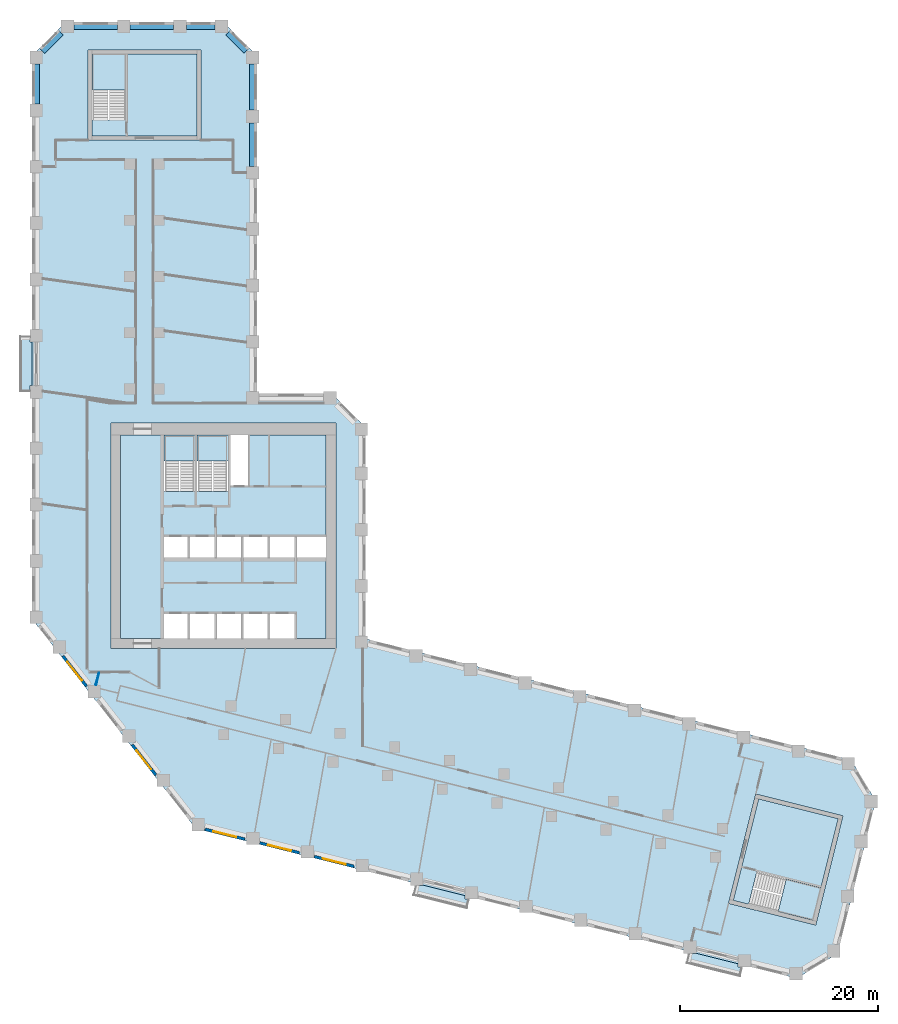
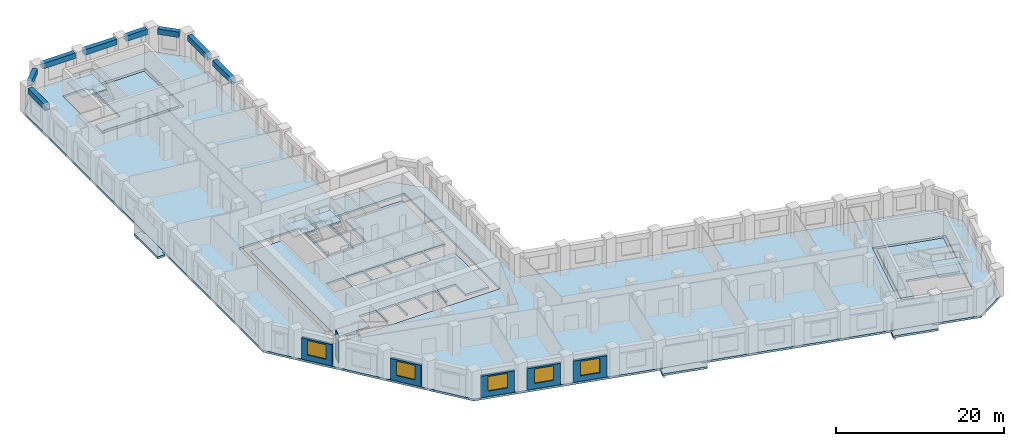
# One storey, part 2 of 10: 11 slabs, 8 beams, 6 walls, 5 windows, 5 openings, 4 elements without a shape of their own.
"""IFC4 building model written with IfcOpenShell, lengths in metres."""

from ifc_helpers import new_model, si_unit, direction, frame, frame_2d, origin, origin_2d, place, context, subcontext, project, spatial, polyline, rectangle, outline, extrude, material, layer, layer_set, material_profile, profile_set, type_object, element, fill, aggregate, save


model = new_model("IFC4")

# Units and contexts
model_context = context("Model", 3, precision=1e-05, world=origin(), true_north=direction((0.0, 1.0)))
body_context = subcontext(model_context, "Body", "Model", "MODEL_VIEW")
ifc_project = project(units=[si_unit("LENGTHUNIT", "METRE"), si_unit("AREAUNIT", "SQUARE_METRE"), si_unit("VOLUMEUNIT", "CUBIC_METRE"), si_unit("PLANEANGLEUNIT", "RADIAN"), si_unit("MASSUNIT", "GRAM", prefix="KILO")], contexts=[model_context])

# Site, building, storey
site_placement = place(None, origin())
site = spatial("IfcSite", under=ifc_project, at=site_placement, CompositionType="ELEMENT")
building_placement = place(site_placement, origin())
building = spatial("IfcBuilding", under=site, at=building_placement, Name="Meshkara Civic Tower", CompositionType="ELEMENT")
storey_placement = place(building_placement, frame((0.0, 0.0, 109.800048828125)))
storey = spatial("IfcBuildingStorey", under=building, at=storey_placement, Name="L24", CompositionType="ELEMENT", Elevation=109.800048828125)

# Beams
ifc_material_1 = material(Name="Concrete C70", Category="concrete")
ifc_material_profile = material_profile(ifc_material_1, rectangle(XDim=0.60009765625, YDim=0.800048828125, at=origin_2d()))
ifc_profile_set = profile_set([ifc_material_profile], Name="Concrete C70")
beam_type = type_object("IfcBeamType", Name="Spandrel beam RC 600x800 C70", PredefinedType="BEAM", material=ifc_profile_set)
beam_1_placement = place(storey_placement, frame((22.35009765625, 62.89501953125, 3.5), z_axis=(0.0, 1.0, 0.0), x_axis=(-1.0, 0.0, 0.0)))
element("IfcBeam", 1, at=beam_1_placement, inside=storey, type_object=beam_type, Name="Spandrel beam AE04-AE05", PredefinedType="BEAM", context=body_context, shape_type="SweptSolid", body=[
    extrude(rectangle(XDim=0.60009765625, YDim=0.800048828125, at=origin_2d()), origin(), (0.0, 0.0, 1.0), 4.409912109375),
])
beam_2_placement = place(storey_placement, frame((22.35009765625, 68.594970703125, 3.5), z_axis=(0.0, 1.0, 0.0), x_axis=(-1.0, 0.0, 0.0)))
element("IfcBeam", 2, at=beam_2_placement, inside=storey, type_object=beam_type, Name="Spandrel beam AE05-AEEP1", PredefinedType="BEAM", context=body_context, shape_type="SweptSolid", body=[
    extrude(rectangle(XDim=0.60009765625, YDim=0.800048828125, at=origin_2d()), origin(), (0.0, 0.0, 1.0), 4.674072265625),
])
beam_3_placement = place(storey_placement, frame((21.70361328125, 74.560546875, 3.5), z_axis=(-0.707106781187, 0.707106781187, 0.0), x_axis=(-0.707106781187, -0.707106781187, 0.0)))
element("IfcBeam", 3, at=beam_3_placement, inside=storey, type_object=beam_type, Name="Spandrel beam AEEP1-ATiEP1", PredefinedType="BEAM", context=body_context, shape_type="SweptSolid", body=[
    extrude(rectangle(XDim=0.60009765625, YDim=0.800048828125, at=origin_2d()), origin(), (0.0, 0.0, 1.0), 2.634765625),
])
beam_4_placement = place(storey_placement, frame((18.549072265625, 77.070068359375, 3.5), z_axis=(-1.0, 0.0, 0.0), x_axis=(0.0, -1.0, 0.0)))
element("IfcBeam", 4, at=beam_4_placement, inside=storey, type_object=beam_type, Name="Spandrel beam AT02-P1-ATiEP1", PredefinedType="BEAM", context=body_context, shape_type="SweptSolid", body=[
    extrude(rectangle(XDim=0.60009765625, YDim=0.800048828125, at=origin_2d()), origin(), (0.0, 0.0, 1.0), 2.898193359375),
])
beam_5_placement = place(storey_placement, frame((14.361083984375, 77.070068359375, 3.5), z_axis=(-1.0, 0.0, 0.0), x_axis=(0.0, -1.0, 0.0)))
element("IfcBeam", 5, at=beam_5_placement, inside=storey, type_object=beam_type, Name="Spandrel beam AT01-P1-AT02-P1", PredefinedType="BEAM", context=body_context, shape_type="SweptSolid", body=[
    extrude(rectangle(XDim=0.60009765625, YDim=0.800048828125, at=origin_2d()), origin(), (0.0, 0.0, 1.0), 4.41015625),
])
beam_6_placement = place(storey_placement, frame((8.660888671875, 77.070068359375, 3.5), z_axis=(-1.0, 0.0, 0.0), x_axis=(0.0, -1.0, 0.0)))
element("IfcBeam", 6, at=beam_6_placement, inside=storey, type_object=beam_type, Name="Spandrel beam AT00-P1-AT01-P1", PredefinedType="BEAM", context=body_context, shape_type="SweptSolid", body=[
    extrude(rectangle(XDim=0.60009765625, YDim=0.800048828125, at=origin_2d()), origin(), (0.0, 0.0, 1.0), 4.409912109375),
])
beam_7_placement = place(storey_placement, frame((2.95947265625, 76.423583984375, 3.5), z_axis=(-0.707106781187, -0.707106781187, 0.0), x_axis=(0.707106781187, -0.707106781187, 0.0)))
element("IfcBeam", 7, at=beam_7_placement, inside=storey, type_object=beam_type, Name="Spandrel beam AT00-P1-ATo00-P1", PredefinedType="BEAM", context=body_context, shape_type="SweptSolid", body=[
    extrude(rectangle(XDim=0.60009765625, YDim=0.800048828125, at=origin_2d()), origin(), (0.0, 0.0, 1.0), 2.634765625),
])
beam_8_placement = place(storey_placement, frame((0.449951171875, 73.26904296875, 3.5), z_axis=(0.0, -1.0, 0.0), x_axis=(1.0, 0.0, 0.0)))
element("IfcBeam", 8, at=beam_8_placement, inside=storey, type_object=beam_type, Name="Spandrel beam ATo00-P1-AW09", PredefinedType="BEAM", context=body_context, shape_type="SweptSolid", body=[
    extrude(rectangle(XDim=0.60009765625, YDim=0.800048828125, at=origin_2d()), origin(), (0.0, 0.0, 1.0), 4.069091796875),
])

# Slabs
ifc_material_2 = material(Name="Concrete C40", Category="concrete")
ifc_layer_1 = layer(ifc_material_2, 0.300048828125)
ifc_layer_set_1 = layer_set([ifc_layer_1], Name="BALCONY SLAB")
slab_type_1 = type_object("IfcSlabType", Name="BALCONY SLAB", PredefinedType="FLOOR", material=ifc_layer_set_1)
slab_1_placement = place(storey_placement, frame((0.0, 0.0, -0.300048828125)))
element("IfcSlab", 9, at=slab_1_placement, inside=storey, type_object=slab_type_1, Name="Balcony slab", PredefinedType="FLOOR", context=body_context, shape_type="SweptSolid", body=[
    extrude(outline(polyline([(-1.199951171875, 40.114990234375), (-1.199951171875, 45.695068359375), (-0.199951171875, 45.695068359375), (-0.199951171875, 45.10498046875), (0.0, 45.10498046875), (0.0, 40.705078125), (-0.199951171875, 40.705078125), (-0.199951171875, 40.114990234375), (-1.199951171875, 40.114990234375)])), origin(), (0.0, 0.0, 1.0), 0.300048828125),
])
slab_2_placement = place(storey_placement, frame((0.0, 0.0, -0.300048828125)))
element("IfcSlab", 10, at=slab_2_placement, inside=storey, type_object=slab_type_1, Name="Balcony slab", PredefinedType="FLOOR", context=body_context, shape_type="SweptSolid", body=[
    extrude(outline(polyline([(44.048095703125, -12.218994140625), (38.633056640625, -10.868896484375), (38.8740234375, -9.903076171875), (39.6240234375, -9.903076171875), (39.6240234375, -9.87890625), (43.85498046875, -10.93408203125), (43.85498046875, -11.281982421875), (44.281005859375, -11.281982421875), (44.048095703125, -12.218994140625)])), origin(), (0.0, 0.0, 1.0), 0.300048828125),
])
slab_3_placement = place(storey_placement, frame((0.0, 0.0, -0.300048828125)))
element("IfcSlab", 11, at=slab_3_placement, inside=storey, type_object=slab_type_1, Name="Balcony slab", PredefinedType="FLOOR", context=body_context, shape_type="SweptSolid", body=[
    extrude(outline(polyline([(71.700927734375, -19.113037109375), (66.285888671875, -17.762939453125), (66.527099609375, -16.798095703125), (67.277099609375, -16.798095703125), (67.277099609375, -16.77392578125), (71.508056640625, -17.8291015625), (71.508056640625, -18.177001953125), (71.93408203125, -18.177001953125), (71.700927734375, -19.113037109375)])), origin(), (0.0, 0.0, 1.0), 0.300048828125),
])
ifc_material_3 = material(Name="Concrete C40/50", Category="concrete")
ifc_layer_2 = layer(ifc_material_3, 0.300048828125)
ifc_layer_set_2 = layer_set([ifc_layer_2], Name="Core floor slab 300 C40/50")
slab_type_2 = type_object("IfcSlabType", Name="Core floor slab 300 C40/50", PredefinedType="FLOOR", material=ifc_layer_set_2)
slab_4_placement = place(storey_placement, frame((0.0, 0.0, -0.300048828125)))
element("IfcSlab", 12, at=slab_4_placement, inside=storey, type_object=slab_type_2, Name="Core floor K", PredefinedType="FLOOR", context=body_context, shape_type="SweptSolid", body=[
    extrude(outline(polyline([(9.0, 35.699951171875), (13.39990234375, 35.699951171875), (13.39990234375, 30.00146484375), (16.5, 30.00146484375), (16.5, 35.699951171875), (16.699951171875, 35.699951171875), (16.699951171875, 30.00146484375), (19.89990234375, 30.00146484375), (19.89990234375, 35.699951171875), (20.10009765625, 35.699951171875), (20.10009765625, 30.574951171875), (21.925048828125, 30.574951171875), (21.925048828125, 35.699951171875), (29.800048828125, 35.699951171875), (29.800048828125, 25.39990234375), (26.800048828125, 25.39990234375), (26.800048828125, 23.300048828125), (29.800048828125, 23.300048828125), (29.800048828125, 15.10009765625), (26.60009765625, 15.10009765625), (26.60009765625, 17.60009765625), (24.10009765625, 17.60009765625), (24.10009765625, 15.10009765625), (23.89990234375, 15.10009765625), (23.89990234375, 17.60009765625), (21.39990234375, 17.60009765625), (21.39990234375, 15.10009765625), (21.199951171875, 15.10009765625), (21.199951171875, 17.60009765625), (18.699951171875, 17.60009765625), (18.699951171875, 15.10009765625), (18.5, 15.10009765625), (18.5, 17.60009765625), (16.0, 17.60009765625), (16.0, 15.10009765625), (15.800048828125, 15.10009765625), (15.800048828125, 17.60009765625), (13.39990234375, 17.60009765625), (13.39990234375, 15.10009765625), (9.0, 15.10009765625), (9.0, 35.699951171875)]), holes=[polyline([(13.39990234375, 25.39990234375), (13.39990234375, 23.300048828125), (15.800048828125, 23.300048828125), (15.800048828125, 25.39990234375), (13.39990234375, 25.39990234375)]), polyline([(18.5, 23.300048828125), (18.5, 25.39990234375), (16.0, 25.39990234375), (16.0, 23.300048828125), (18.5, 23.300048828125)]), polyline([(18.699951171875, 25.39990234375), (18.699951171875, 23.300048828125), (21.199951171875, 23.300048828125), (21.199951171875, 25.39990234375), (18.699951171875, 25.39990234375)]), polyline([(21.39990234375, 23.300048828125), (23.89990234375, 23.300048828125), (23.89990234375, 25.39990234375), (21.39990234375, 25.39990234375), (21.39990234375, 23.300048828125)]), polyline([(26.60009765625, 25.39990234375), (24.10009765625, 25.39990234375), (24.10009765625, 23.300048828125), (26.60009765625, 23.300048828125), (26.60009765625, 25.39990234375)])]), origin(), (0.0, 0.0, 1.0), 0.300048828125),
])
slab_5_placement = place(storey_placement, frame((0.0, 0.0, -0.300048828125)))
element("IfcSlab", 13, at=slab_5_placement, inside=storey, type_object=slab_type_2, Name="Core floor EA", PredefinedType="FLOOR", context=body_context, shape_type="SweptSolid", body=[
    extrude(outline(polyline([(16.699951171875, 65.969970703125), (16.699951171875, 74.27001953125), (9.5, 74.27001953125), (9.5, 67.571533203125), (6.10009765625, 67.571533203125), (6.10009765625, 65.969970703125), (16.699951171875, 65.969970703125)])), origin(), (0.0, 0.0, 1.0), 0.300048828125),
])
slab_6_placement = place(storey_placement, frame((0.0, 0.0, -0.300048828125)))
element("IfcSlab", 14, at=slab_6_placement, inside=storey, type_object=slab_type_2, Name="Core floor EB", PredefinedType="FLOOR", context=body_context, shape_type="SweptSolid", body=[
    extrude(outline(polyline([(73.581298828125, -1.134521484375), (81.634521484375, -3.142578125), (79.892822265625, -10.128662109375), (73.393310546875, -8.508056640625), (72.57080078125, -11.80712890625), (71.016845703125, -11.419677734375), (73.581298828125, -1.134521484375)])), origin(), (0.0, 0.0, 1.0), 0.300048828125),
])

# Stair, slab
ifc_material_4 = material(Name="Precast concrete C40/50", Category="concrete")
stair_type_1 = type_object("IfcStairType", Name="Exit stair half-turn 24 risers precast", PredefinedType="HALF_TURN_STAIR", material=ifc_material_4)
stair_1_placement = place(storey_placement, origin())
stair_1 = element("IfcStair", 15, at=stair_1_placement, inside=storey, type_object=stair_type_1, Name="L24 exit stair 1", PredefinedType="HALF_TURN_STAIR")
ifc_material_5 = material(Name="Precast concrete C40/50", Category="concrete")
ifc_layer_3 = layer(ifc_material_5, 0.199951171875)
ifc_layer_set_3 = layer_set([ifc_layer_3], Name="Exit stair landing 200")
slab_type_3 = type_object("IfcSlabType", Name="Exit stair landing 200", PredefinedType="LANDING", material=ifc_layer_set_3)
slab_7_placement = place(storey_placement, frame((0.0, 0.0, 1.89990234375)))
slab_7 = element("IfcSlab", 16, at=slab_7_placement, type_object=slab_type_3, Name="ST1 landing 1", PredefinedType="LANDING", context=body_context, shape_type="SweptSolid", body=[
    extrude(outline(polyline([(16.5, 33.07861328125), (16.5, 35.699951171875), (13.39990234375, 35.699951171875), (13.39990234375, 33.07861328125), (16.5, 33.07861328125)])), origin(), (0.0, 0.0, 1.0), 0.199951171875),
])
aggregate(stair_1, [slab_7])

stair_2_placement = place(storey_placement, origin())
stair_2 = element("IfcStair", 17, at=stair_2_placement, inside=storey, type_object=stair_type_1, Name="L24 exit stair 2", PredefinedType="HALF_TURN_STAIR")
slab_8_placement = place(storey_placement, frame((0.0, 0.0, 1.89990234375)))
slab_8 = element("IfcSlab", 18, at=slab_8_placement, type_object=slab_type_3, Name="ST2 landing 1", PredefinedType="LANDING", context=body_context, shape_type="SweptSolid", body=[
    extrude(outline(polyline([(19.89990234375, 33.07861328125), (19.89990234375, 35.699951171875), (16.699951171875, 35.699951171875), (16.699951171875, 33.07861328125), (19.89990234375, 33.07861328125)])), origin(), (0.0, 0.0, 1.0), 0.199951171875),
])
aggregate(stair_2, [slab_8])

ifc_material_6 = material(Name="Precast concrete C40/50", Category="concrete")
stair_type_2 = type_object("IfcStairType", Name="Exit stair half-turn 24 risers 1600 precast", PredefinedType="HALF_TURN_STAIR", material=ifc_material_6)
stair_3_placement = place(storey_placement, origin())
stair_3 = element("IfcStair", 19, at=stair_3_placement, inside=storey, type_object=stair_type_2, Name="L24 exit stair A from L20", PredefinedType="HALF_TURN_STAIR")
slab_9_placement = place(storey_placement, frame((0.0, 0.0, 1.89990234375)))
slab_9 = element("IfcSlab", 20, at=slab_9_placement, type_object=slab_type_3, Name="ESA2 landing 1", PredefinedType="LANDING", context=body_context, shape_type="SweptSolid", body=[
    extrude(outline(polyline([(9.5, 70.6484375), (9.5, 74.27001953125), (6.10009765625, 74.27001953125), (6.10009765625, 70.6484375), (9.5, 70.6484375)])), origin(), (0.0, 0.0, 1.0), 0.199951171875),
])
aggregate(stair_3, [slab_9])

stair_4_placement = place(storey_placement, origin())
stair_4 = element("IfcStair", 21, at=stair_4_placement, inside=storey, type_object=stair_type_2, Name="L24 exit stair B from L20", PredefinedType="HALF_TURN_STAIR")
slab_10_placement = place(storey_placement, frame((0.0, 0.0, 1.89990234375)))
slab_10 = element("IfcSlab", 22, at=slab_10_placement, type_object=slab_type_3, Name="ESB2 landing 1", PredefinedType="LANDING", context=body_context, shape_type="SweptSolid", body=[
    extrude(outline(polyline([(75.5556640625, -12.55224609375), (79.06982421875, -13.428955078125), (79.89306640625, -10.12890625), (76.379150390625, -9.25244140625), (75.5556640625, -12.55224609375)])), origin(), (0.0, 0.0, 1.0), 0.199951171875),
])
aggregate(stair_4, [slab_10])

# Slab
ifc_material_7 = material(Name="Concrete C50", Category="concrete")
ifc_layer_4 = layer(ifc_material_7, 0.300048828125)
ifc_layer_set_4 = layer_set([ifc_layer_4], Name="Post-tensioned flat slab 300 C50")
slab_type_4 = type_object("IfcSlabType", Name="Post-tensioned flat slab 300 C50", PredefinedType="FLOOR", material=ifc_layer_set_4)
slab_11_placement = place(storey_placement, frame((0.0, 0.0, -0.300048828125)))
element("IfcSlab", 23, at=slab_11_placement, inside=storey, type_object=slab_type_4, Name="Post-tensioned flat slab L24", PredefinedType="FLOOR", context=body_context, shape_type="SweptSolid", body=[
    extrude(outline(polyline([(81.574951171875, -16.81396484375), (77.429931640625, -19.304931640625), (16.592041015625, -4.136962890625), (0.0, 17.10009765625), (0.0, 74.10009765625), (3.419921875, 77.52001953125), (19.3798828125, 77.52001953125), (22.800048828125, 74.10009765625), (22.800048828125, 39.89990234375), (30.3798828125, 39.89990234375), (33.800048828125, 36.47998046875), (33.800048828125, 15.071044921875), (82.945068359375, 2.81689453125), (85.43603515625, -1.327880859375), (81.574951171875, -16.81396484375)]), holes=[polyline([(79.362060546875, -13.9130859375), (82.1201171875, -2.85107421875), (73.2900390625, -0.64990234375), (70.531982421875, -11.7109375), (79.362060546875, -13.9130859375)]), polyline([(8.0, 14.10009765625), (30.800048828125, 14.10009765625), (30.800048828125, 36.89990234375), (8.0, 36.89990234375), (8.0, 14.10009765625)]), polyline([(5.699951171875, 74.669921875), (5.699951171875, 65.570068359375), (17.10009765625, 65.570068359375), (17.10009765625, 74.669921875), (5.699951171875, 74.669921875)])]), origin(), (0.0, 0.0, 1.0), 0.300048828125),
])

# Wall, opening, window
ifc_material_8 = material(Name="Insulated infill panel with bronze anodised aluminium cladding", Category="aluminium")
ifc_layer_5 = layer(ifc_material_8, 0.300048828125)
ifc_layer_set_5 = layer_set([ifc_layer_5], Name="EXTERNAL INFILL WALL 300")
wall_type_1 = type_object("IfcWallType", Name="EXTERNAL INFILL WALL 300", PredefinedType="SOLIDWALL", material=ifc_layer_set_5)
wall_1_placement = place(storey_placement, frame((3.138916015625, 13.324951171875, 0.0), z_axis=(0.0, 0.0, 1.0), x_axis=(0.615779754703, -0.787918329332, 0.0)))
wall_1 = element("IfcWall", 24, at=wall_1_placement, inside=storey, type_object=wall_type_1, Name="External wall", PredefinedType="SOLIDWALL", context=body_context, shape_type="SweptSolid", body=[
    extrude(rectangle(XDim=3.874755859375, YDim=0.300048828125, at=frame_2d((1.9375, 0.0))), origin(), (0.0, 0.0, 1.0), 3.099853515625),
])
opening_1_placement = place(wall_1_placement, frame((0.738037109375, 0.0, 0.800048828125)))
opening_1 = element("IfcOpeningElement", 25, at=opening_1_placement, cuts=wall_1, Name="Opening W7", PredefinedType="OPENING", context=body_context, shape_type="SweptSolid", body=[
    extrude(rectangle(XDim=2.39990234375, YDim=2.10009765625, at=frame_2d((1.199951171875, 1.050048828125))), frame((0.0, 0.159912109375, 0.0), z_axis=(0.0, -1.0, 0.0), x_axis=(1.0, 0.0, 0.0)), (0.0, 0.0, 1.0), 0.320068359375),
])
ifc_material_9 = material(Name="Tinted double glazing", Category="glass")
window_type = type_object("IfcWindowType", Name="WINDOW 2400x2100", PartitioningType="DOUBLE_PANEL_VERTICAL", PredefinedType="WINDOW", material=ifc_material_9)
window_1_placement = place(opening_1_placement, origin())
window_1 = element("IfcWindow", 26, at=window_1_placement, inside=storey, type_object=window_type, Name="Window", OverallHeight=2.10009765625, OverallWidth=2.39990234375, PartitioningType="DOUBLE_PANEL_VERTICAL", PredefinedType="WINDOW", context=body_context, shape_type="SweptSolid", body=[
    extrude(rectangle(XDim=2.39990234375, YDim=2.10009765625, at=frame_2d((1.199951171875, 1.050048828125))), frame((0.0, 0.030029296875, 0.0), z_axis=(0.0, -1.0, 0.0), x_axis=(1.0, 0.0, 0.0)), (0.0, 0.0, 1.0), 0.06005859375),
])
fill(opening_1, window_1)

wall_2_placement = place(storey_placement, frame((10.157958984375, 4.341064453125, 0.0), z_axis=(0.0, 0.0, 1.0), x_axis=(0.615779754703, -0.787918329332, 0.0)))
wall_2 = element("IfcWall", 27, at=wall_2_placement, inside=storey, type_object=wall_type_1, Name="External wall", PredefinedType="SOLIDWALL", context=body_context, shape_type="SweptSolid", body=[
    extrude(rectangle(XDim=3.874755859375, YDim=0.300048828125, at=frame_2d((1.9375, 0.0))), origin(), (0.0, 0.0, 1.0), 3.099853515625),
])
opening_2_placement = place(wall_2_placement, frame((0.737060546875, 0.0, 0.800048828125)))
opening_2 = element("IfcOpeningElement", 28, at=opening_2_placement, cuts=wall_2, Name="Opening W7", PredefinedType="OPENING", context=body_context, shape_type="SweptSolid", body=[
    extrude(rectangle(XDim=2.39990234375, YDim=2.10009765625, at=frame_2d((1.199951171875, 1.050048828125))), frame((0.0, 0.159912109375, 0.0), z_axis=(0.0, -1.0, 0.0), x_axis=(1.0, 0.0, 0.0)), (0.0, 0.0, 1.0), 0.320068359375),
])
window_2_placement = place(opening_2_placement, origin())
window_2 = element("IfcWindow", 29, at=window_2_placement, inside=storey, type_object=window_type, Name="Window", OverallHeight=2.10009765625, OverallWidth=2.39990234375, PartitioningType="DOUBLE_PANEL_VERTICAL", PredefinedType="WINDOW", context=body_context, shape_type="SweptSolid", body=[
    extrude(rectangle(XDim=2.39990234375, YDim=2.10009765625, at=frame_2d((1.199951171875, 1.050048828125))), frame((0.0, 0.030029296875, 0.0), z_axis=(0.0, -1.0, 0.0), x_axis=(1.0, 0.0, 0.0)), (0.0, 0.0, 1.0), 0.06005859375),
])
fill(opening_2, window_2)

wall_3_placement = place(storey_placement, frame((17.54296875, -4.219970703125, 0.0), z_axis=(0.0, 0.0, 1.0), x_axis=(0.970337184445, -0.241755555227, 0.0)))
wall_3 = element("IfcWall", 30, at=wall_3_placement, inside=storey, type_object=wall_type_1, Name="External wall", PredefinedType="SOLIDWALL", context=body_context, shape_type="SweptSolid", body=[
    extrude(rectangle(XDim=4.124267578125, YDim=0.300048828125, at=frame_2d((2.06201171875, 0.0))), origin(), (0.0, 0.0, 1.0), 3.099853515625),
])
opening_3_placement = place(wall_3_placement, frame((0.862060546875, 0.0, 0.800048828125)))
opening_3 = element("IfcOpeningElement", 31, at=opening_3_placement, cuts=wall_3, Name="Opening W7", PredefinedType="OPENING", context=body_context, shape_type="SweptSolid", body=[
    extrude(rectangle(XDim=2.39990234375, YDim=2.10009765625, at=frame_2d((1.199951171875, 1.050048828125))), frame((0.0, 0.159912109375, 0.0), z_axis=(0.0, -1.0, 0.0), x_axis=(1.0, 0.0, 0.0)), (0.0, 0.0, 1.0), 0.320068359375),
])
window_3_placement = place(opening_3_placement, origin())
window_3 = element("IfcWindow", 32, at=window_3_placement, inside=storey, type_object=window_type, Name="Window", OverallHeight=2.10009765625, OverallWidth=2.39990234375, PartitioningType="DOUBLE_PANEL_VERTICAL", PredefinedType="WINDOW", context=body_context, shape_type="SweptSolid", body=[
    extrude(rectangle(XDim=2.39990234375, YDim=2.10009765625, at=frame_2d((1.199951171875, 1.050048828125))), frame((0.0, 0.030029296875, 0.0), z_axis=(0.0, -1.0, 0.0), x_axis=(1.0, 0.0, 0.0)), (0.0, 0.0, 1.0), 0.06005859375),
])
fill(opening_3, window_3)

wall_4_placement = place(storey_placement, frame((23.073974609375, -5.597900390625, 0.0), z_axis=(0.0, 0.0, 1.0), x_axis=(0.970267747908, -0.242034083076, 0.0)))
wall_4 = element("IfcWall", 33, at=wall_4_placement, inside=storey, type_object=wall_type_1, Name="External wall", PredefinedType="SOLIDWALL", context=body_context, shape_type="SweptSolid", body=[
    extrude(rectangle(XDim=4.12353515625, YDim=0.300048828125, at=frame_2d((2.061767578125, 0.0))), origin(), (0.0, 0.0, 1.0), 3.099853515625),
])
opening_4_placement = place(wall_4_placement, frame((0.862060546875, 0.0, 0.800048828125)))
opening_4 = element("IfcOpeningElement", 34, at=opening_4_placement, cuts=wall_4, Name="Opening W7", PredefinedType="OPENING", context=body_context, shape_type="SweptSolid", body=[
    extrude(rectangle(XDim=2.39990234375, YDim=2.10009765625, at=frame_2d((1.199951171875, 1.050048828125))), frame((0.0, 0.159912109375, 0.0), z_axis=(0.0, -1.0, 0.0), x_axis=(1.0, 0.0, 0.0)), (0.0, 0.0, 1.0), 0.320068359375),
])
window_4_placement = place(opening_4_placement, origin())
window_4 = element("IfcWindow", 35, at=window_4_placement, inside=storey, type_object=window_type, Name="Window", OverallHeight=2.10009765625, OverallWidth=2.39990234375, PartitioningType="DOUBLE_PANEL_VERTICAL", PredefinedType="WINDOW", context=body_context, shape_type="SweptSolid", body=[
    extrude(rectangle(XDim=2.39990234375, YDim=2.10009765625, at=frame_2d((1.199951171875, 1.050048828125))), frame((0.0, 0.030029296875, 0.0), z_axis=(0.0, -1.0, 0.0), x_axis=(1.0, 0.0, 0.0)), (0.0, 0.0, 1.0), 0.06005859375),
])
fill(opening_4, window_4)

wall_5_placement = place(storey_placement, frame((28.60400390625, -6.97705078125, 0.0), z_axis=(0.0, 0.0, 1.0), x_axis=(0.970281616392, -0.241978480223, 0.0)))
wall_5 = element("IfcWall", 36, at=wall_5_placement, inside=storey, type_object=wall_type_1, Name="External wall", PredefinedType="SOLIDWALL", context=body_context, shape_type="SweptSolid", body=[
    extrude(rectangle(XDim=4.12451171875, YDim=0.300048828125, at=frame_2d((2.062255859375, 0.0))), origin(), (0.0, 0.0, 1.0), 3.099853515625),
])
opening_5_placement = place(wall_5_placement, frame((0.862060546875, 0.0, 0.800048828125)))
opening_5 = element("IfcOpeningElement", 37, at=opening_5_placement, cuts=wall_5, Name="Opening W7", PredefinedType="OPENING", context=body_context, shape_type="SweptSolid", body=[
    extrude(rectangle(XDim=2.39990234375, YDim=2.10009765625, at=frame_2d((1.199951171875, 1.050048828125))), frame((0.0, 0.159912109375, 0.0), z_axis=(0.0, -1.0, 0.0), x_axis=(1.0, 0.0, 0.0)), (0.0, 0.0, 1.0), 0.320068359375),
])
window_5_placement = place(opening_5_placement, origin())
window_5 = element("IfcWindow", 38, at=window_5_placement, inside=storey, type_object=window_type, Name="Window", OverallHeight=2.10009765625, OverallWidth=2.39990234375, PartitioningType="DOUBLE_PANEL_VERTICAL", PredefinedType="WINDOW", context=body_context, shape_type="SweptSolid", body=[
    extrude(rectangle(XDim=2.39990234375, YDim=2.10009765625, at=frame_2d((1.199951171875, 1.050048828125))), frame((0.0, 0.030029296875, 0.0), z_axis=(0.0, -1.0, 0.0), x_axis=(1.0, 0.0, 0.0)), (0.0, 0.0, 1.0), 0.06005859375),
])
fill(opening_5, window_5)

# Wall
ifc_material_10 = material(Name="Partition 100")
ifc_layer_6 = layer(ifc_material_10, 0.10009765625)
ifc_layer_set_6 = layer_set([ifc_layer_6], Name="Partition 100")
wall_type_2 = type_object("IfcWallType", Name="Partition 100", PredefinedType="PARTITIONING", material=ifc_layer_set_6)
wall_6_placement = place(storey_placement, frame((6.797119140625, 11.637939453125, 0.0), z_axis=(0.0, 0.0, 1.0), x_axis=(-0.242000927221, -0.970276018061, 0.0)))
element("IfcWall", 39, at=wall_6_placement, inside=storey, type_object=wall_type_2, Name="L24-W033", PredefinedType="PARTITIONING", context=body_context, shape_type="SweptSolid", body=[
    extrude(rectangle(XDim=1.289306640625, YDim=0.10009765625, at=frame_2d((0.64453125, 0.0))), origin(), (0.0, 0.0, 1.0), 3.89990234375),
])

save(model, "model.ifc")
